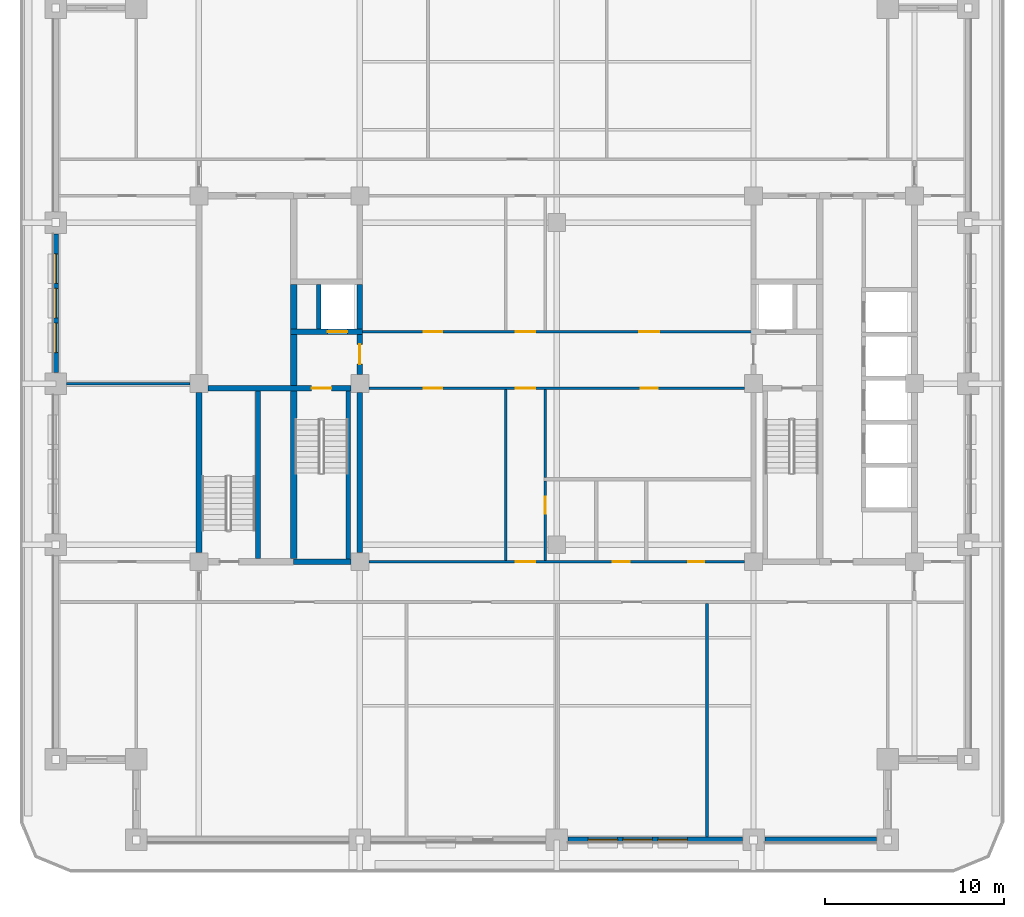
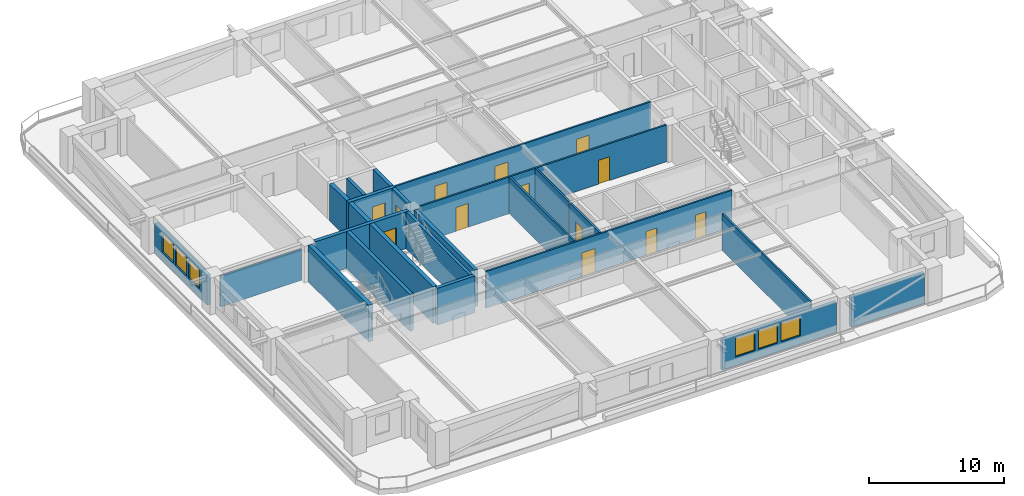
# One storey, part 3 of 14: 24 walls, 13 doors, 6 windows, 19 openings.
"""IFC4 building model written with IfcOpenShell, lengths in metres."""

from ifc_helpers import new_model, si_unit, direction, frame, frame_2d, origin, place, context, subcontext, project, spatial, rectangle, extrude, material, layer, layer_set, type_object, element, fill, save


model = new_model("IFC4")

# Units and contexts
model_context = context("Model", 3, precision=1e-05, world=origin(), true_north=direction((0.0, 1.0)))
body_context = subcontext(model_context, "Body", "Model", "MODEL_VIEW")
ifc_project = project(units=[si_unit("LENGTHUNIT", "METRE"), si_unit("AREAUNIT", "SQUARE_METRE"), si_unit("VOLUMEUNIT", "CUBIC_METRE"), si_unit("PLANEANGLEUNIT", "RADIAN"), si_unit("MASSUNIT", "GRAM", prefix="KILO")], contexts=[model_context])

# Site, building, storey
site_placement = place(None, origin())
site = spatial("IfcSite", under=ifc_project, at=site_placement, CompositionType="ELEMENT")
building_placement = place(site_placement, origin())
building = spatial("IfcBuilding", under=site, at=building_placement, Name="Zulmaris Gate Convention Tower", CompositionType="ELEMENT")
storey_placement = place(building_placement, frame((0.0, 0.0, 135.6298828125)))
storey = spatial("IfcBuildingStorey", under=building, at=storey_placement, Name="L34", CompositionType="ELEMENT", Elevation=135.6298828125)

# Walls
ifc_material_1 = material(Name="Concrete C50/60", Category="concrete")
ifc_layer_1 = layer(ifc_material_1, 0.25, Name="Concrete C50/60")
ifc_layer_set_1 = layer_set([ifc_layer_1], Name="Concrete C50/60")
wall_type_1 = type_object("IfcWallType", Name="CORE-250", PredefinedType="SOLIDWALL", material=ifc_layer_set_1)
wall_1_placement = place(storey_placement, frame((-13.300048828125, 3.052001953125, 0.0), z_axis=(0.0, 0.0, 1.0), x_axis=(0.0, 1.0, 0.0)))
element("IfcWall", 1, at=wall_1_placement, inside=storey, type_object=wall_type_1, Name="WL-L34-040", PredefinedType="SOLIDWALL", context=body_context, shape_type="SweptSolid", body=[
    extrude(rectangle(XDim=2.49609375, YDim=0.25, at=frame_2d((1.248046875, 0.0))), origin(), (0.0, 0.0, 1.0), 3.320068359375),
])
wall_2_placement = place(storey_placement, frame((-11.64990234375, -9.798095703125, 0.0), z_axis=(0.0, 0.0, 1.0), x_axis=(0.0, 1.0, 0.0)))
element("IfcWall", 2, at=wall_2_placement, inside=storey, type_object=wall_type_1, Name="WL-L34-041", PredefinedType="SOLIDWALL", context=body_context, shape_type="SweptSolid", body=[
    extrude(rectangle(XDim=9.39599609375, YDim=0.25, at=frame_2d((4.697998046875, 0.0))), origin(), (0.0, 0.0, 1.0), 3.320068359375),
])
ifc_layer_2 = layer(ifc_material_1, 0.300048828125, Name="Concrete C50/60")
ifc_layer_set_2 = layer_set([ifc_layer_2], Name="Concrete C50/60")
wall_type_2 = type_object("IfcWallType", Name="CORE-300", PredefinedType="SHEAR", material=ifc_layer_set_2)
wall_3_placement = place(storey_placement, frame((-14.699951171875, -9.949951171875, 0.0), z_axis=(0.0, 0.0, 1.0), x_axis=(1.0, 0.0, 0.0)))
element("IfcWall", 3, at=wall_3_placement, inside=storey, type_object=wall_type_2, Name="WL-L34-002", PredefinedType="SHEAR", context=body_context, shape_type="SweptSolid", body=[
    extrude(rectangle(XDim=3.196044921875, YDim=0.300048828125, at=frame_2d((1.59814453125, 0.0))), origin(), (0.0, 0.0, 1.0), 3.320068359375),
])

# Wall, opening, door
wall_4_placement = place(storey_placement, frame((-19.49609375, -0.25, 0.0), z_axis=(0.0, 0.0, 1.0), x_axis=(1.0, 0.0, 0.0)))
wall_4 = element("IfcWall", 4, at=wall_4_placement, inside=storey, type_object=wall_type_2, Name="WL-L34-008", PredefinedType="SHEAR", context=body_context, shape_type="SweptSolid", body=[
    extrude(rectangle(XDim=7.9921875, YDim=0.300048828125, at=frame_2d((3.99609375, 0.0))), origin(), (0.0, 0.0, 1.0), 3.320068359375),
])
opening_1_placement = place(wall_4_placement, frame((5.7958984375, 0.0, 0.0)))
opening_1 = element("IfcOpeningElement", 5, at=opening_1_placement, cuts=wall_4, Name="Opening D-08", PredefinedType="OPENING", context=body_context, shape_type="SweptSolid", body=[
    extrude(rectangle(XDim=1.10009765625, YDim=2.14990234375, at=frame_2d((0.550048828125, 1.074951171875))), frame((0.0, 0.16015625, 0.0), z_axis=(0.0, -1.0, 0.0), x_axis=(1.0, 0.0, 0.0)), (0.0, 0.0, 1.0), 0.320068359375),
])
ifc_material_2 = material(Name="Fire-Rated Steel", Category="steel")
door_type_1 = type_object("IfcDoorType", Name="DR-1100-FD", OperationType="NOTDEFINED", PredefinedType="DOOR", material=ifc_material_2)
door_1_placement = place(opening_1_placement, origin())
door_1 = element("IfcDoor", 6, at=door_1_placement, inside=storey, type_object=door_type_1, Name="L34 Exit Stair ST-1 Door 01", OperationType="SINGLE_SWING_RIGHT", OverallHeight=2.14990234375, OverallWidth=1.10009765625, PredefinedType="DOOR", context=body_context, shape_type="SweptSolid", body=[
    extrude(rectangle(XDim=1.10009765625, YDim=2.14990234375, at=frame_2d((0.550048828125, 1.074951171875))), frame((0.0, 0.02490234375, 0.0), z_axis=(0.0, -1.0, 0.0), x_axis=(1.0, 0.0, 0.0)), (0.0, 0.0, 1.0), 0.050048828125),
])
fill(opening_1, door_1)

wall_5_placement = place(storey_placement, frame((-14.875, 2.89990234375, 0.0), z_axis=(0.0, 0.0, 1.0), x_axis=(1.0, 0.0, 0.0)))
wall_5 = element("IfcWall", 7, at=wall_5_placement, inside=storey, type_object=wall_type_2, Name="WL-L34-012", PredefinedType="SHEAR", context=body_context, shape_type="SweptSolid", body=[
    extrude(rectangle(XDim=4.02490234375, YDim=0.300048828125, at=frame_2d((2.012451171875, 0.0))), origin(), (0.0, 0.0, 1.0), 3.320068359375),
])
opening_2_placement = place(wall_5_placement, frame((2.074951171875, 0.0, 0.0)))
opening_2 = element("IfcOpeningElement", 8, at=opening_2_placement, cuts=wall_5, Name="Opening D-06", PredefinedType="OPENING", context=body_context, shape_type="SweptSolid", body=[
    extrude(rectangle(XDim=1.10009765625, YDim=2.199951171875, at=frame_2d((0.550048828125, 1.10009765625))), frame((0.0, 0.16015625, 0.0), z_axis=(0.0, -1.0, 0.0), x_axis=(1.0, 0.0, 0.0)), (0.0, 0.0, 1.0), 0.320068359375),
])
ifc_material_3 = material(Name="Brushed Stainless Steel", Category="steel")
door_type_2 = type_object("IfcDoorType", Name="LD-1100", OperationType="NOTDEFINED", PredefinedType="DOOR", material=ifc_material_3)
door_2_placement = place(opening_2_placement, origin())
door_2 = element("IfcDoor", 9, at=door_2_placement, inside=storey, type_object=door_type_2, Name="L34 Lift Landing Door LF-01 03", OperationType="SLIDING_TO_LEFT", OverallHeight=2.199951171875, OverallWidth=1.10009765625, PredefinedType="DOOR", context=body_context, shape_type="SweptSolid", body=[
    extrude(rectangle(XDim=1.10009765625, YDim=2.199951171875, at=frame_2d((0.550048828125, 1.10009765625))), frame((0.0, 0.02490234375, 0.0), z_axis=(0.0, -1.0, 0.0), x_axis=(1.0, 0.0, 0.0)), (0.0, 0.0, 1.0), 0.050048828125),
])
fill(opening_2, door_2)

# Walls
wall_6_placement = place(storey_placement, frame((-16.699951171875, -9.77294921875, 0.0), z_axis=(0.0, 0.0, 1.0), x_axis=(0.0, 1.0, 0.0)))
element("IfcWall", 10, at=wall_6_placement, inside=storey, type_object=wall_type_2, Name="WL-L34-035", PredefinedType="SHEAR", context=body_context, shape_type="SweptSolid", body=[
    extrude(rectangle(XDim=9.370849609375, YDim=0.300048828125, at=frame_2d((4.685546875, 0.0))), origin(), (0.0, 0.0, 1.0), 3.320068359375),
])
wall_7_placement = place(storey_placement, frame((-11.0, -9.446044921875, 0.0), z_axis=(0.0, 0.0, 1.0), x_axis=(0.0, 1.0, 0.0)))
element("IfcWall", 11, at=wall_7_placement, inside=storey, type_object=wall_type_2, Name="WL-L34-042", PredefinedType="SHEAR", context=body_context, shape_type="SweptSolid", body=[
    extrude(rectangle(XDim=8.942138671875, YDim=0.300048828125, at=frame_2d((4.47119140625, 0.0))), origin(), (0.0, 0.0, 1.0), 3.320068359375),
])

# Wall, opening, door
wall_8_placement = place(storey_placement, frame((-11.0, 0.50390625, 0.0), z_axis=(0.0, 0.0, 1.0), x_axis=(0.0, 1.0, 0.0)))
wall_8 = element("IfcWall", 12, at=wall_8_placement, inside=storey, type_object=wall_type_2, Name="WL-L34-043", PredefinedType="SHEAR", context=body_context, shape_type="SweptSolid", body=[
    extrude(rectangle(XDim=2.244140625, YDim=0.300048828125, at=frame_2d((1.1220703125, 0.0))), origin(), (0.0, 0.0, 1.0), 3.320068359375),
])
opening_3_placement = place(wall_8_placement, frame((0.595947265625, 0.0, 0.0)))
opening_3 = element("IfcOpeningElement", 13, at=opening_3_placement, cuts=wall_8, Name="Opening D-08", PredefinedType="OPENING", context=body_context, shape_type="SweptSolid", body=[
    extrude(rectangle(XDim=1.10009765625, YDim=2.14990234375, at=frame_2d((0.550048828125, 1.074951171875))), frame((0.0, 0.16015625, 0.0), z_axis=(0.0, -1.0, 0.0), x_axis=(1.0, 0.0, 0.0)), (0.0, 0.0, 1.0), 0.320068359375),
])
door_3_placement = place(opening_3_placement, origin())
door_3 = element("IfcDoor", 14, at=door_3_placement, inside=storey, type_object=door_type_1, Name="L34 West Firefighting Lobby Door 02", OperationType="SINGLE_SWING_LEFT", OverallHeight=2.14990234375, OverallWidth=1.10009765625, PredefinedType="DOOR", context=body_context, shape_type="SweptSolid", body=[
    extrude(rectangle(XDim=1.10009765625, YDim=2.14990234375, at=frame_2d((0.550048828125, 1.074951171875))), frame((0.0, 0.02490234375, 0.0), z_axis=(0.0, -1.0, 0.0), x_axis=(1.0, 0.0, 0.0)), (0.0, 0.0, 1.0), 0.050048828125),
])
fill(opening_3, door_3)

# Walls
wall_9_placement = place(storey_placement, frame((-11.0, 3.052001953125, 0.0), z_axis=(0.0, 0.0, 1.0), x_axis=(0.0, 1.0, 0.0)))
element("IfcWall", 15, at=wall_9_placement, inside=storey, type_object=wall_type_2, Name="WL-L34-044", PredefinedType="SHEAR", context=body_context, shape_type="SweptSolid", body=[
    extrude(rectangle(XDim=2.49609375, YDim=0.300048828125, at=frame_2d((1.248046875, 0.0))), origin(), (0.0, 0.0, 1.0), 3.320068359375),
])
ifc_material_4 = material(Name="Concrete C55/67", Category="concrete")
ifc_layer_3 = layer(ifc_material_4, 0.35009765625, Name="Concrete C55/67")
ifc_layer_set_3 = layer_set([ifc_layer_3], Name="Concrete C55/67")
wall_type_3 = type_object("IfcWallType", Name="CORE-350", PredefinedType="SHEAR", material=ifc_layer_set_3)
wall_10_placement = place(storey_placement, frame((-20.0, -9.446044921875, 0.0), z_axis=(0.0, 0.0, 1.0), x_axis=(0.0, 1.0, 0.0)))
element("IfcWall", 16, at=wall_10_placement, inside=storey, type_object=wall_type_3, Name="WL-L34-033", PredefinedType="SHEAR", context=body_context, shape_type="SweptSolid", body=[
    extrude(rectangle(XDim=8.942138671875, YDim=0.35009765625, at=frame_2d((4.47119140625, 0.0))), origin(), (0.0, 0.0, 1.0), 3.320068359375),
])
wall_11_placement = place(storey_placement, frame((-14.699951171875, -9.77294921875, 0.0), z_axis=(0.0, 0.0, 1.0), x_axis=(0.0, 1.0, 0.0)))
element("IfcWall", 17, at=wall_11_placement, inside=storey, type_object=wall_type_3, Name="WL-L34-036", PredefinedType="SHEAR", context=body_context, shape_type="SweptSolid", body=[
    extrude(rectangle(XDim=9.370849609375, YDim=0.35009765625, at=frame_2d((4.685546875, 0.0))), origin(), (0.0, 0.0, 1.0), 3.320068359375),
])
wall_12_placement = place(storey_placement, frame((-14.699951171875, -0.097900390625, 0.0), z_axis=(0.0, 0.0, 1.0), x_axis=(0.0, 1.0, 0.0)))
element("IfcWall", 18, at=wall_12_placement, inside=storey, type_object=wall_type_3, Name="WL-L34-037", PredefinedType="SHEAR", context=body_context, shape_type="SweptSolid", body=[
    extrude(rectangle(XDim=2.845947265625, YDim=0.35009765625, at=frame_2d((1.4228515625, 0.0))), origin(), (0.0, 0.0, 1.0), 3.320068359375),
])
wall_13_placement = place(storey_placement, frame((-14.699951171875, 3.052001953125, 0.0), z_axis=(0.0, 0.0, 1.0), x_axis=(0.0, 1.0, 0.0)))
element("IfcWall", 19, at=wall_13_placement, inside=storey, type_object=wall_type_3, Name="WL-L34-038", PredefinedType="SHEAR", context=body_context, shape_type="SweptSolid", body=[
    extrude(rectangle(XDim=2.49609375, YDim=0.35009765625, at=frame_2d((1.248046875, 0.0))), origin(), (0.0, 0.0, 1.0), 3.320068359375),
])

# Wall, openings, doors
ifc_material_5 = material(Name="Gypsum Metal Stud Partition")
ifc_layer_4 = layer(ifc_material_5, 0.14990234375, Name="Gypsum Metal Stud Partition")
ifc_layer_set_4 = layer_set([ifc_layer_4], Name="Gypsum Metal Stud Partition")
wall_type_4 = type_object("IfcWallType", Name="PART-150", PredefinedType="PARTITIONING", material=ifc_layer_set_4)
wall_14_placement = place(storey_placement, frame((-10.493896484375, -9.949951171875, 0.0), z_axis=(0.0, 0.0, 1.0), x_axis=(1.0, 0.0, 0.0)))
wall_14 = element("IfcWall", 20, at=wall_14_placement, inside=storey, type_object=wall_type_4, Name="WL-L34-023", PredefinedType="PARTITIONING", context=body_context, shape_type="SweptSolid", body=[
    extrude(rectangle(XDim=20.98779296875, YDim=0.14990234375, at=frame_2d((10.493896484375, 0.0))), origin(), (0.0, 0.0, 1.0), 3.320068359375),
])
opening_4_placement = place(wall_14_placement, frame((8.194091796875, 0.0, 0.0)))
opening_4 = element("IfcOpeningElement", 21, at=opening_4_placement, cuts=wall_14, Name="Opening D-08", PredefinedType="OPENING", context=body_context, shape_type="SweptSolid", body=[
    extrude(rectangle(XDim=1.10009765625, YDim=2.14990234375, at=frame_2d((0.550048828125, 1.074951171875))), frame((0.0, 0.0849609375, 0.0), z_axis=(0.0, -1.0, 0.0), x_axis=(1.0, 0.0, 0.0)), (0.0, 0.0, 1.0), 0.169921875),
])
opening_5_placement = place(wall_14_placement, frame((13.618896484375, 0.0, 0.0)))
opening_5 = element("IfcOpeningElement", 22, at=opening_5_placement, cuts=wall_14, Name="Opening D-11", PredefinedType="OPENING", context=body_context, shape_type="SweptSolid", body=[
    extrude(rectangle(XDim=0.949951171875, YDim=2.14990234375, at=frame_2d((0.47509765625, 1.074951171875))), frame((0.0, 0.0849609375, 0.0), z_axis=(0.0, -1.0, 0.0), x_axis=(1.0, 0.0, 0.0)), (0.0, 0.0, 1.0), 0.169921875),
])
opening_6_placement = place(wall_14_placement, frame((17.843994140625, 0.0, 0.0)))
opening_6 = element("IfcOpeningElement", 23, at=opening_6_placement, cuts=wall_14, Name="Opening D-12", PredefinedType="OPENING", context=body_context, shape_type="SweptSolid", body=[
    extrude(rectangle(XDim=0.89990234375, YDim=2.14990234375, at=frame_2d((0.449951171875, 1.074951171875))), frame((0.0, 0.0849609375, 0.0), z_axis=(0.0, -1.0, 0.0), x_axis=(1.0, 0.0, 0.0)), (0.0, 0.0, 1.0), 0.169921875),
])
door_4_placement = place(opening_4_placement, origin())
door_4 = element("IfcDoor", 24, at=door_4_placement, inside=storey, type_object=door_type_1, Name="L34 South Gallery Link Door 19", OperationType="SINGLE_SWING_RIGHT", OverallHeight=2.14990234375, OverallWidth=1.10009765625, PredefinedType="DOOR", context=body_context, shape_type="SweptSolid", body=[
    extrude(rectangle(XDim=1.10009765625, YDim=2.14990234375, at=frame_2d((0.550048828125, 1.074951171875))), frame((0.0, 0.02490234375, 0.0), z_axis=(0.0, -1.0, 0.0), x_axis=(1.0, 0.0, 0.0)), (0.0, 0.0, 1.0), 0.050048828125),
])
fill(opening_4, door_4)
ifc_material_6 = material(Name="Fire-Rated Timber", Category="wood")
door_type_3 = type_object("IfcDoorType", Name="DR-900-FD", OperationType="NOTDEFINED", PredefinedType="DOOR", material=ifc_material_6)
door_5_placement = place(opening_6_placement, origin())
door_5 = element("IfcDoor", 25, at=door_5_placement, inside=storey, type_object=door_type_3, Name="L34 Reprographics Office Door 35", OperationType="SINGLE_SWING_RIGHT", OverallHeight=2.14990234375, OverallWidth=0.89990234375, PredefinedType="DOOR", context=body_context, shape_type="SweptSolid", body=[
    extrude(rectangle(XDim=0.89990234375, YDim=2.14990234375, at=frame_2d((0.449951171875, 1.074951171875))), frame((0.0, 0.02490234375, 0.0), z_axis=(0.0, -1.0, 0.0), x_axis=(1.0, 0.0, 0.0)), (0.0, 0.0, 1.0), 0.050048828125),
])
fill(opening_6, door_5)
door_type_4 = type_object("IfcDoorType", Name="DR-950-FD", OperationType="NOTDEFINED", PredefinedType="DOOR", material=ifc_material_6)
door_6_placement = place(opening_5_placement, origin())
door_6 = element("IfcDoor", 26, at=door_6_placement, inside=storey, type_object=door_type_4, Name="L34 Accessible WC Door 34", OperationType="SINGLE_SWING_LEFT", OverallHeight=2.14990234375, OverallWidth=0.949951171875, PredefinedType="DOOR", context=body_context, shape_type="SweptSolid", body=[
    extrude(rectangle(XDim=0.949951171875, YDim=2.14990234375, at=frame_2d((0.47509765625, 1.074951171875))), frame((0.0, 0.02490234375, 0.0), z_axis=(0.0, -1.0, 0.0), x_axis=(1.0, 0.0, 0.0)), (0.0, 0.0, 1.0), 0.050048828125),
])
fill(opening_5, door_6)

wall_15_placement = place(storey_placement, frame((-10.493896484375, -0.25, 0.0), z_axis=(0.0, 0.0, 1.0), x_axis=(1.0, 0.0, 0.0)))
wall_15 = element("IfcWall", 27, at=wall_15_placement, inside=storey, type_object=wall_type_4, Name="WL-L34-026", PredefinedType="PARTITIONING", context=body_context, shape_type="SweptSolid", body=[
    extrude(rectangle(XDim=20.98779296875, YDim=0.14990234375, at=frame_2d((10.493896484375, 0.0))), origin(), (0.0, 0.0, 1.0), 3.320068359375),
])
opening_7_placement = place(wall_15_placement, frame((8.194091796875, 0.0, 0.0)))
opening_7 = element("IfcOpeningElement", 28, at=opening_7_placement, cuts=wall_15, Name="Opening D-08", PredefinedType="OPENING", context=body_context, shape_type="SweptSolid", body=[
    extrude(rectangle(XDim=1.10009765625, YDim=2.14990234375, at=frame_2d((0.550048828125, 1.074951171875))), frame((0.0, 0.0849609375, 0.0), z_axis=(0.0, -1.0, 0.0), x_axis=(1.0, 0.0, 0.0)), (0.0, 0.0, 1.0), 0.169921875),
])
opening_8_placement = place(wall_15_placement, frame((3.049072265625, 0.0, 0.0)))
opening_8 = element("IfcOpeningElement", 29, at=opening_8_placement, cuts=wall_15, Name="Opening D-09", PredefinedType="OPENING", context=body_context, shape_type="SweptSolid", body=[
    extrude(rectangle(XDim=1.050048828125, YDim=2.14990234375, at=frame_2d((0.52490234375, 1.074951171875))), frame((0.0, 0.0849609375, 0.0), z_axis=(0.0, -1.0, 0.0), x_axis=(1.0, 0.0, 0.0)), (0.0, 0.0, 1.0), 0.169921875),
])
opening_9_placement = place(wall_15_placement, frame((15.18896484375, 0.0, 0.0)))
opening_9 = element("IfcOpeningElement", 30, at=opening_9_placement, cuts=wall_15, Name="Opening D-11", PredefinedType="OPENING", context=body_context, shape_type="SweptSolid", body=[
    extrude(rectangle(XDim=0.949951171875, YDim=2.14990234375, at=frame_2d((0.47509765625, 1.074951171875))), frame((0.0, 0.0849609375, 0.0), z_axis=(0.0, -1.0, 0.0), x_axis=(1.0, 0.0, 0.0)), (0.0, 0.0, 1.0), 0.169921875),
])
door_type_5 = type_object("IfcDoorType", Name="DR-1050-FD", OperationType="NOTDEFINED", PredefinedType="DOOR", material=ifc_material_2)
door_7_placement = place(opening_8_placement, origin())
door_7 = element("IfcDoor", 31, at=door_7_placement, inside=storey, type_object=door_type_5, Name="L34 Sky Library Door 31", OperationType="SINGLE_SWING_RIGHT", OverallHeight=2.14990234375, OverallWidth=1.050048828125, PredefinedType="DOOR", context=body_context, shape_type="SweptSolid", body=[
    extrude(rectangle(XDim=1.050048828125, YDim=2.14990234375, at=frame_2d((0.52490234375, 1.074951171875))), frame((0.0, 0.02490234375, 0.0), z_axis=(0.0, -1.0, 0.0), x_axis=(1.0, 0.0, 0.0)), (0.0, 0.0, 1.0), 0.050048828125),
])
fill(opening_8, door_7)
door_8_placement = place(opening_7_placement, origin())
door_8 = element("IfcDoor", 32, at=door_8_placement, inside=storey, type_object=door_type_1, Name="L34 Cross Spine South Door 21", OperationType="SINGLE_SWING_RIGHT", OverallHeight=2.14990234375, OverallWidth=1.10009765625, PredefinedType="DOOR", context=body_context, shape_type="SweptSolid", body=[
    extrude(rectangle(XDim=1.10009765625, YDim=2.14990234375, at=frame_2d((0.550048828125, 1.074951171875))), frame((0.0, 0.02490234375, 0.0), z_axis=(0.0, -1.0, 0.0), x_axis=(1.0, 0.0, 0.0)), (0.0, 0.0, 1.0), 0.050048828125),
])
fill(opening_7, door_8)
door_9_placement = place(opening_9_placement, origin())
door_9 = element("IfcDoor", 33, at=door_9_placement, inside=storey, type_object=door_type_4, Name="L34 Public WC Door 32", OperationType="SINGLE_SWING_LEFT", OverallHeight=2.14990234375, OverallWidth=0.949951171875, PredefinedType="DOOR", context=body_context, shape_type="SweptSolid", body=[
    extrude(rectangle(XDim=0.949951171875, YDim=2.14990234375, at=frame_2d((0.47509765625, 1.074951171875))), frame((0.0, 0.02490234375, 0.0), z_axis=(0.0, -1.0, 0.0), x_axis=(1.0, 0.0, 0.0)), (0.0, 0.0, 1.0), 0.050048828125),
])
fill(opening_9, door_9)

# Wall
wall_16_placement = place(storey_placement, frame((-27.39404296875, 0.0, 0.0), z_axis=(0.0, 0.0, 1.0), x_axis=(1.0, 0.0, 0.0)))
element("IfcWall", 34, at=wall_16_placement, inside=storey, type_object=wall_type_4, Name="WL-L34-027", PredefinedType="PARTITIONING", context=body_context, shape_type="SweptSolid", body=[
    extrude(rectangle(XDim=6.887939453125, YDim=0.14990234375, at=frame_2d((3.44384765625, 0.0))), origin(), (0.0, 0.0, 1.0), 2.81005859375),
])

# Wall, openings, doors
wall_17_placement = place(storey_placement, frame((-11.0, 2.89990234375, 0.0), z_axis=(0.0, 0.0, 1.0), x_axis=(1.0, 0.0, 0.0)))
wall_17 = element("IfcWall", 35, at=wall_17_placement, inside=storey, type_object=wall_type_4, Name="WL-L34-028", PredefinedType="PARTITIONING", context=body_context, shape_type="SweptSolid", body=[
    extrude(rectangle(XDim=22.0, YDim=0.14990234375, at=frame_2d((11.0, 0.0))), origin(), (0.0, 0.0, 1.0), 3.320068359375),
])
opening_10_placement = place(wall_17_placement, frame((8.699951171875, 0.0, 0.0)))
opening_10 = element("IfcOpeningElement", 36, at=opening_10_placement, cuts=wall_17, Name="Opening D-08", PredefinedType="OPENING", context=body_context, shape_type="SweptSolid", body=[
    extrude(rectangle(XDim=1.10009765625, YDim=2.14990234375, at=frame_2d((0.550048828125, 1.074951171875))), frame((0.0, 0.0849609375, 0.0), z_axis=(0.0, -1.0, 0.0), x_axis=(1.0, 0.0, 0.0)), (0.0, 0.0, 1.0), 0.169921875),
])
opening_11_placement = place(wall_17_placement, frame((3.554931640625, 0.0, 0.0)))
opening_11 = element("IfcOpeningElement", 37, at=opening_11_placement, cuts=wall_17, Name="Opening D-09", PredefinedType="OPENING", context=body_context, shape_type="SweptSolid", body=[
    extrude(rectangle(XDim=1.050048828125, YDim=2.14990234375, at=frame_2d((0.52490234375, 1.074951171875))), frame((0.0, 0.0849609375, 0.0), z_axis=(0.0, -1.0, 0.0), x_axis=(1.0, 0.0, 0.0)), (0.0, 0.0, 1.0), 0.169921875),
])
opening_12_placement = place(wall_17_placement, frame((15.6201171875, 0.0, 0.0)))
opening_12 = element("IfcOpeningElement", 38, at=opening_12_placement, cuts=wall_17, Name="Opening D-08", PredefinedType="OPENING", context=body_context, shape_type="SweptSolid", body=[
    extrude(rectangle(XDim=1.10009765625, YDim=2.14990234375, at=frame_2d((0.550048828125, 1.074951171875))), frame((0.0, 0.0849609375, 0.0), z_axis=(0.0, -1.0, 0.0), x_axis=(1.0, 0.0, 0.0)), (0.0, 0.0, 1.0), 0.169921875),
])
door_10_placement = place(opening_11_placement, origin())
door_10 = element("IfcDoor", 39, at=door_10_placement, inside=storey, type_object=door_type_5, Name="L34 Reception Door 29", OperationType="SINGLE_SWING_RIGHT", OverallHeight=2.14990234375, OverallWidth=1.050048828125, PredefinedType="DOOR", context=body_context, shape_type="SweptSolid", body=[
    extrude(rectangle(XDim=1.050048828125, YDim=2.14990234375, at=frame_2d((0.52490234375, 1.074951171875))), frame((0.0, 0.02490234375, 0.0), z_axis=(0.0, -1.0, 0.0), x_axis=(1.0, 0.0, 0.0)), (0.0, 0.0, 1.0), 0.050048828125),
])
fill(opening_11, door_10)
door_11_placement = place(opening_10_placement, origin())
door_11 = element("IfcDoor", 40, at=door_11_placement, inside=storey, type_object=door_type_1, Name="L34 Cross Spine North Door 20", OperationType="SINGLE_SWING_LEFT", OverallHeight=2.14990234375, OverallWidth=1.10009765625, PredefinedType="DOOR", context=body_context, shape_type="SweptSolid", body=[
    extrude(rectangle(XDim=1.10009765625, YDim=2.14990234375, at=frame_2d((0.550048828125, 1.074951171875))), frame((0.0, 0.02490234375, 0.0), z_axis=(0.0, -1.0, 0.0), x_axis=(1.0, 0.0, 0.0)), (0.0, 0.0, 1.0), 0.050048828125),
])
fill(opening_10, door_11)
door_12_placement = place(opening_12_placement, origin())
door_12 = element("IfcDoor", 41, at=door_12_placement, inside=storey, type_object=door_type_1, Name="L34 Townhall Forum Door 30", OperationType="SINGLE_SWING_LEFT", OverallHeight=2.14990234375, OverallWidth=1.10009765625, PredefinedType="DOOR", context=body_context, shape_type="SweptSolid", body=[
    extrude(rectangle(XDim=1.10009765625, YDim=2.14990234375, at=frame_2d((0.550048828125, 1.074951171875))), frame((0.0, 0.02490234375, 0.0), z_axis=(0.0, -1.0, 0.0), x_axis=(1.0, 0.0, 0.0)), (0.0, 0.0, 1.0), 0.050048828125),
])
fill(opening_12, door_12)

# Wall
wall_18_placement = place(storey_placement, frame((-2.85009765625, -9.8720703125, 0.0), z_axis=(0.0, 0.0, 1.0), x_axis=(0.0, 1.0, 0.0)))
element("IfcWall", 42, at=wall_18_placement, inside=storey, type_object=wall_type_4, Name="WL-L34-074", PredefinedType="PARTITIONING", context=body_context, shape_type="SweptSolid", body=[
    extrude(rectangle(XDim=9.544189453125, YDim=0.14990234375, at=frame_2d((4.77197265625, 0.0))), origin(), (0.0, 0.0, 1.0), 3.320068359375),
])

# Wall, opening, door
wall_19_placement = place(storey_placement, frame((-0.64990234375, -9.8720703125, 0.0), z_axis=(0.0, 0.0, 1.0), x_axis=(0.0, 1.0, 0.0)))
wall_19 = element("IfcWall", 43, at=wall_19_placement, inside=storey, type_object=wall_type_4, Name="WL-L34-076", PredefinedType="PARTITIONING", context=body_context, shape_type="SweptSolid", body=[
    extrude(rectangle(XDim=4.419189453125, YDim=0.14990234375, at=frame_2d((2.20947265625, 0.0))), origin(), (0.0, 0.0, 1.0), 3.320068359375),
])
opening_13_placement = place(wall_19_placement, frame((2.596923828125, 0.0, 0.0)))
opening_13 = element("IfcOpeningElement", 44, at=opening_13_placement, cuts=wall_19, Name="Opening D-11", PredefinedType="OPENING", context=body_context, shape_type="SweptSolid", body=[
    extrude(rectangle(XDim=0.949951171875, YDim=2.14990234375, at=frame_2d((0.47509765625, 1.074951171875))), frame((0.0, 0.0849609375, 0.0), z_axis=(0.0, -1.0, 0.0), x_axis=(1.0, 0.0, 0.0)), (0.0, 0.0, 1.0), 0.169921875),
])
door_13_placement = place(opening_13_placement, origin())
door_13 = element("IfcDoor", 45, at=door_13_placement, inside=storey, type_object=door_type_4, Name="L34 Hygiene Supply Door 33", OperationType="SINGLE_SWING_RIGHT", OverallHeight=2.14990234375, OverallWidth=0.949951171875, PredefinedType="DOOR", context=body_context, shape_type="SweptSolid", body=[
    extrude(rectangle(XDim=0.949951171875, YDim=2.14990234375, at=frame_2d((0.47509765625, 1.074951171875))), frame((0.0, 0.02490234375, 0.0), z_axis=(0.0, -1.0, 0.0), x_axis=(1.0, 0.0, 0.0)), (0.0, 0.0, 1.0), 0.050048828125),
])
fill(opening_13, door_13)

# Walls
wall_20_placement = place(storey_placement, frame((-0.64990234375, -5.2470703125, 0.0), z_axis=(0.0, 0.0, 1.0), x_axis=(0.0, 1.0, 0.0)))
element("IfcWall", 46, at=wall_20_placement, inside=storey, type_object=wall_type_4, Name="WL-L34-077", PredefinedType="PARTITIONING", context=body_context, shape_type="SweptSolid", body=[
    extrude(rectangle(XDim=4.919189453125, YDim=0.14990234375, at=frame_2d((2.45947265625, 0.0))), origin(), (0.0, 0.0, 1.0), 3.320068359375),
])
wall_21_placement = place(storey_placement, frame((8.39990234375, -25.3349609375, 0.0), z_axis=(0.0, 0.0, 1.0), x_axis=(0.0, 1.0, 0.0)))
element("IfcWall", 47, at=wall_21_placement, inside=storey, type_object=wall_type_4, Name="WL-L34-083", PredefinedType="PARTITIONING", context=body_context, shape_type="SweptSolid", body=[
    extrude(rectangle(XDim=13.056884765625, YDim=0.14990234375, at=frame_2d((6.5283203125, 0.0))), origin(), (0.0, 0.0, 1.0), 3.320068359375),
])

# Wall, openings, windows
ifc_material_7 = material(Name="Precast concrete C40/50", Category="concrete")
ifc_layer_5 = layer(ifc_material_7, 0.300048828125, Name="Precast concrete C40/50")
ifc_layer_set_5 = layer_set([ifc_layer_5], Name="Precast concrete C40/50")
wall_type_5 = type_object("IfcWallType", Name="PRECAST-PIER-300", PredefinedType="STANDARD", material=ifc_layer_set_5)
wall_22_placement = place(storey_placement, frame((0.6298828125, -25.5, 0.0), z_axis=(0.0, 0.0, 1.0), x_axis=(1.0, 0.0, 0.0)))
wall_22 = element("IfcWall", 48, at=wall_22_placement, inside=storey, type_object=wall_type_5, Name="EW-L34-S-2_0", PredefinedType="STANDARD", context=body_context, shape_type="SweptSolid", body=[
    extrude(rectangle(XDim=9.740234375, YDim=0.300048828125, at=frame_2d((4.8701171875, 0.0))), origin(), (0.0, 0.0, 1.0), 2.712158203125),
])
opening_14_placement = place(wall_22_placement, frame((1.123046875, 0.0, 0.800048828125)))
opening_14 = element("IfcOpeningElement", 49, at=opening_14_placement, cuts=wall_22, Name="Opening W-08", PredefinedType="OPENING", context=body_context, shape_type="SweptSolid", body=[
    extrude(rectangle(XDim=1.64990234375, YDim=1.699951171875, at=frame_2d((0.824951171875, 0.85009765625))), frame((0.0, 0.16015625, 0.0), z_axis=(0.0, -1.0, 0.0), x_axis=(1.0, 0.0, 0.0)), (0.0, 0.0, 1.0), 0.320068359375),
])
opening_15_placement = place(wall_22_placement, frame((3.071044921875, 0.0, 0.800048828125)))
opening_15 = element("IfcOpeningElement", 50, at=opening_15_placement, cuts=wall_22, Name="Opening W-08", PredefinedType="OPENING", context=body_context, shape_type="SweptSolid", body=[
    extrude(rectangle(XDim=1.64990234375, YDim=1.699951171875, at=frame_2d((0.824951171875, 0.85009765625))), frame((0.0, 0.16015625, 0.0), z_axis=(0.0, -1.0, 0.0), x_axis=(1.0, 0.0, 0.0)), (0.0, 0.0, 1.0), 0.320068359375),
])
opening_16_placement = place(wall_22_placement, frame((5.01904296875, 0.0, 0.800048828125)))
opening_16 = element("IfcOpeningElement", 51, at=opening_16_placement, cuts=wall_22, Name="Opening W-08", PredefinedType="OPENING", context=body_context, shape_type="SweptSolid", body=[
    extrude(rectangle(XDim=1.64990234375, YDim=1.699951171875, at=frame_2d((0.824951171875, 0.85009765625))), frame((0.0, 0.16015625, 0.0), z_axis=(0.0, -1.0, 0.0), x_axis=(1.0, 0.0, 0.0)), (0.0, 0.0, 1.0), 0.320068359375),
])
ifc_material_8 = material(Name="Low-E Laminated Double Glazing in Aluminium Frame", Category="aluminium")
window_type = type_object("IfcWindowType", Name="WIN-1650x2150", PartitioningType="SINGLE_PANEL", PredefinedType="WINDOW", material=ifc_material_8)
window_1_placement = place(opening_14_placement, origin())
window_1 = element("IfcWindow", 52, at=window_1_placement, inside=storey, type_object=window_type, Name="WN-EW-L34-S-2_0-1", OverallHeight=1.699951171875, OverallWidth=1.64990234375, PartitioningType="SINGLE_PANEL", PredefinedType="WINDOW", context=body_context, shape_type="SweptSolid", body=[
    extrude(rectangle(XDim=1.64990234375, YDim=1.699951171875, at=frame_2d((0.824951171875, 0.85009765625))), frame((0.0, 0.030029296875, 0.0), z_axis=(0.0, -1.0, 0.0), x_axis=(1.0, 0.0, 0.0)), (0.0, 0.0, 1.0), 0.06005859375),
])
fill(opening_14, window_1)
window_2_placement = place(opening_15_placement, origin())
window_2 = element("IfcWindow", 53, at=window_2_placement, inside=storey, type_object=window_type, Name="WN-EW-L34-S-2_0-2", OverallHeight=1.699951171875, OverallWidth=1.64990234375, PartitioningType="SINGLE_PANEL", PredefinedType="WINDOW", context=body_context, shape_type="SweptSolid", body=[
    extrude(rectangle(XDim=1.64990234375, YDim=1.699951171875, at=frame_2d((0.824951171875, 0.85009765625))), frame((0.0, 0.030029296875, 0.0), z_axis=(0.0, -1.0, 0.0), x_axis=(1.0, 0.0, 0.0)), (0.0, 0.0, 1.0), 0.06005859375),
])
fill(opening_15, window_2)
window_3_placement = place(opening_16_placement, origin())
window_3 = element("IfcWindow", 54, at=window_3_placement, inside=storey, type_object=window_type, Name="WN-EW-L34-S-2_0-3", OverallHeight=1.699951171875, OverallWidth=1.64990234375, PartitioningType="SINGLE_PANEL", PredefinedType="WINDOW", context=body_context, shape_type="SweptSolid", body=[
    extrude(rectangle(XDim=1.64990234375, YDim=1.699951171875, at=frame_2d((0.824951171875, 0.85009765625))), frame((0.0, 0.030029296875, 0.0), z_axis=(0.0, -1.0, 0.0), x_axis=(1.0, 0.0, 0.0)), (0.0, 0.0, 1.0), 0.06005859375),
])
fill(opening_16, window_3)

# Wall
wall_23_placement = place(storey_placement, frame((11.6298828125, -25.5, 0.0), z_axis=(0.0, 0.0, 1.0), x_axis=(1.0, 0.0, 0.0)))
element("IfcWall", 55, at=wall_23_placement, inside=storey, type_object=wall_type_5, Name="EW-L34-S-3_0", PredefinedType="STANDARD", context=body_context, shape_type="SweptSolid", body=[
    extrude(rectangle(XDim=6.240234375, YDim=0.300048828125, at=frame_2d((3.1201171875, 0.0))), origin(), (0.0, 0.0, 1.0), 2.712158203125),
])

# Wall, openings, windows
wall_24_placement = place(storey_placement, frame((-28.0, 8.3701171875, 0.0), z_axis=(0.0, 0.0, 1.0), x_axis=(0.0, -1.0, 0.0)))
wall_24 = element("IfcWall", 56, at=wall_24_placement, inside=storey, type_object=wall_type_5, Name="EW-L34-W-2_0", PredefinedType="STANDARD", context=body_context, shape_type="SweptSolid", body=[
    extrude(rectangle(XDim=7.740234375, YDim=0.300048828125, at=frame_2d((3.8701171875, 0.0))), origin(), (0.0, 0.0, 1.0), 2.712158203125),
])
opening_17_placement = place(wall_24_placement, frame((1.110107421875, 0.0, 0.800048828125)))
opening_17 = element("IfcOpeningElement", 57, at=opening_17_placement, cuts=wall_24, Name="Opening W-08", PredefinedType="OPENING", context=body_context, shape_type="SweptSolid", body=[
    extrude(rectangle(XDim=1.64990234375, YDim=1.699951171875, at=frame_2d((0.824951171875, 0.85009765625))), frame((0.0, 0.16015625, 0.0), z_axis=(0.0, -1.0, 0.0), x_axis=(1.0, 0.0, 0.0)), (0.0, 0.0, 1.0), 0.320068359375),
])
opening_18_placement = place(wall_24_placement, frame((3.044921875, 0.0, 0.800048828125)))
opening_18 = element("IfcOpeningElement", 58, at=opening_18_placement, cuts=wall_24, Name="Opening W-08", PredefinedType="OPENING", context=body_context, shape_type="SweptSolid", body=[
    extrude(rectangle(XDim=1.64990234375, YDim=1.699951171875, at=frame_2d((0.824951171875, 0.85009765625))), frame((0.0, 0.16015625, 0.0), z_axis=(0.0, -1.0, 0.0), x_axis=(1.0, 0.0, 0.0)), (0.0, 0.0, 1.0), 0.320068359375),
])
opening_19_placement = place(wall_24_placement, frame((4.97998046875, 0.0, 0.800048828125)))
opening_19 = element("IfcOpeningElement", 59, at=opening_19_placement, cuts=wall_24, Name="Opening W-08", PredefinedType="OPENING", context=body_context, shape_type="SweptSolid", body=[
    extrude(rectangle(XDim=1.64990234375, YDim=1.699951171875, at=frame_2d((0.824951171875, 0.85009765625))), frame((0.0, 0.16015625, 0.0), z_axis=(0.0, -1.0, 0.0), x_axis=(1.0, 0.0, 0.0)), (0.0, 0.0, 1.0), 0.320068359375),
])
window_4_placement = place(opening_17_placement, origin())
window_4 = element("IfcWindow", 60, at=window_4_placement, inside=storey, type_object=window_type, Name="WN-EW-L34-W-2_0-1", OverallHeight=1.699951171875, OverallWidth=1.64990234375, PartitioningType="SINGLE_PANEL", PredefinedType="WINDOW", context=body_context, shape_type="SweptSolid", body=[
    extrude(rectangle(XDim=1.64990234375, YDim=1.699951171875, at=frame_2d((0.824951171875, 0.85009765625))), frame((0.0, 0.030029296875, 0.0), z_axis=(0.0, -1.0, 0.0), x_axis=(1.0, 0.0, 0.0)), (0.0, 0.0, 1.0), 0.06005859375),
])
fill(opening_17, window_4)
window_5_placement = place(opening_18_placement, origin())
window_5 = element("IfcWindow", 61, at=window_5_placement, inside=storey, type_object=window_type, Name="WN-EW-L34-W-2_0-2", OverallHeight=1.699951171875, OverallWidth=1.64990234375, PartitioningType="SINGLE_PANEL", PredefinedType="WINDOW", context=body_context, shape_type="SweptSolid", body=[
    extrude(rectangle(XDim=1.64990234375, YDim=1.699951171875, at=frame_2d((0.824951171875, 0.85009765625))), frame((0.0, 0.030029296875, 0.0), z_axis=(0.0, -1.0, 0.0), x_axis=(1.0, 0.0, 0.0)), (0.0, 0.0, 1.0), 0.06005859375),
])
fill(opening_18, window_5)
window_6_placement = place(opening_19_placement, origin())
window_6 = element("IfcWindow", 62, at=window_6_placement, inside=storey, type_object=window_type, Name="WN-EW-L34-W-2_0-3", OverallHeight=1.699951171875, OverallWidth=1.64990234375, PartitioningType="SINGLE_PANEL", PredefinedType="WINDOW", context=body_context, shape_type="SweptSolid", body=[
    extrude(rectangle(XDim=1.64990234375, YDim=1.699951171875, at=frame_2d((0.824951171875, 0.85009765625))), frame((0.0, 0.030029296875, 0.0), z_axis=(0.0, -1.0, 0.0), x_axis=(1.0, 0.0, 0.0)), (0.0, 0.0, 1.0), 0.06005859375),
])
fill(opening_19, window_6)

save(model, "model.ifc")
